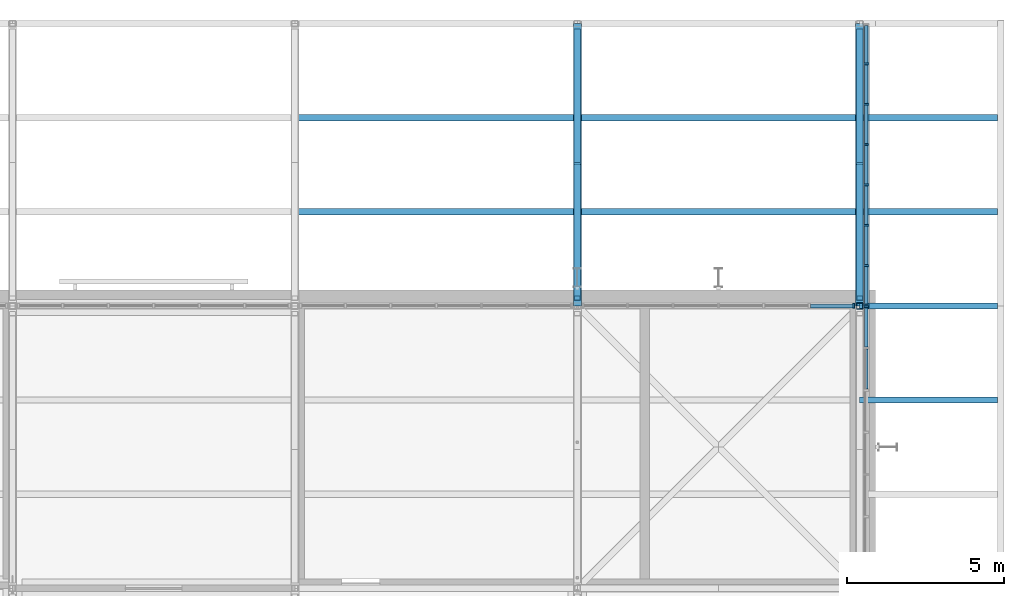
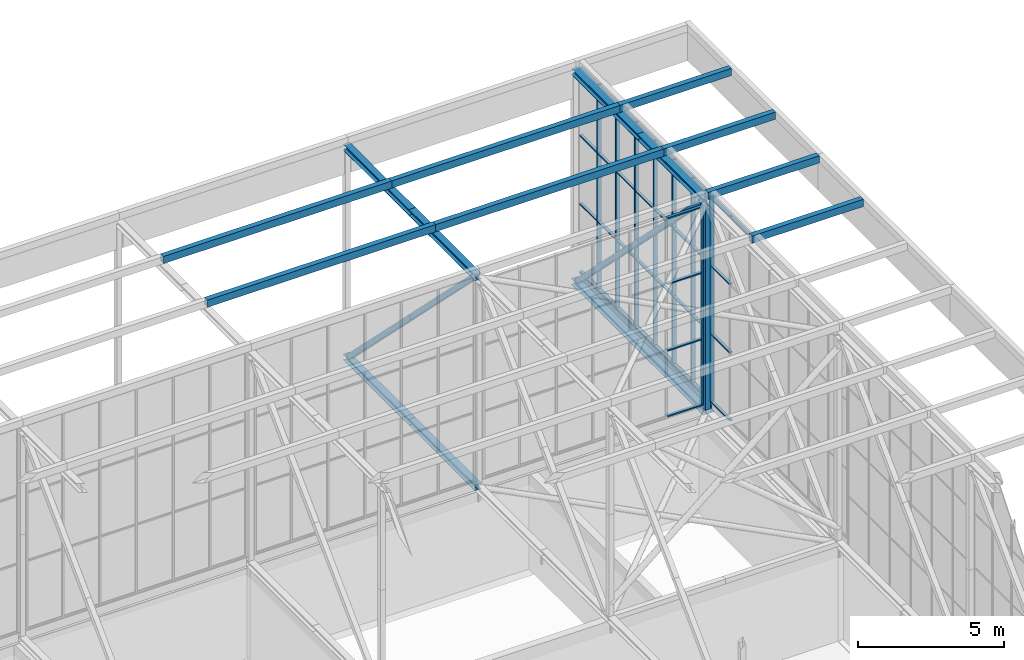
# One storey, part 134 of 646: 68 members, 1 beam, 3 elements without a shape of their own.
"""IFC4 building model written with IfcOpenShell, lengths in metres."""

from ifc_helpers import new_model, si_unit, direction, frame, origin, origin_2d, place, context, subcontext, project, spatial, rectangle, hollow_rectangle, i_section, extrude, material, material_profile, profile_set, type_object, element, aggregate, save


model = new_model("IFC4")

# Units and contexts
model_context = context("Model", 3, precision=1e-05, world=origin(), true_north=direction((0.0, 1.0)))
body_context = subcontext(model_context, "Body", "Model", "MODEL_VIEW")
ifc_project = project(units=[si_unit("LENGTHUNIT", "METRE"), si_unit("AREAUNIT", "SQUARE_METRE"), si_unit("VOLUMEUNIT", "CUBIC_METRE"), si_unit("PLANEANGLEUNIT", "RADIAN"), si_unit("MASSUNIT", "GRAM", prefix="KILO")], contexts=[model_context])

# Site, building, storey
site_placement = place(None, origin())
site = spatial("IfcSite", under=ifc_project, at=site_placement, CompositionType="ELEMENT")
building_placement = place(site_placement, origin())
building = spatial("IfcBuilding", under=site, at=building_placement, Name="Silverbay Arena", CompositionType="ELEMENT")
storey_placement = place(building_placement, frame((0.0, 0.0, 33.5)))
storey = spatial("IfcBuildingStorey", under=building, at=storey_placement, Name="L05", CompositionType="ELEMENT", Elevation=33.5)

# Curtain wall, member
ifc_material_1 = material(Name="Aluminium framed glazing", Category="aluminium")
curtain_wall_type_1 = type_object("IfcCurtainWallType", Name="Curtain wall clerestory 8693 x 8303", PredefinedType="NOTDEFINED", material=ifc_material_1)
curtain_wall_1_placement = place(storey_placement, origin())
curtain_wall_1 = element("IfcCurtainWall", 1, at=curtain_wall_1_placement, inside=storey, type_object=curtain_wall_type_1, Name="ROOF CLERESTORY CURTAIN WALL north bay 17", PredefinedType="NOTDEFINED")
ifc_material_2 = material(Name="Aluminium", Category="aluminium")
ifc_material_profile_1 = material_profile(ifc_material_2, rectangle(XDim=0.159912109375, YDim=0.06005859375, at=origin_2d()), Name="Mullion 60 x 160")
ifc_profile_set_1 = profile_set([ifc_material_profile_1], Name="Aluminium")
member_type_1 = type_object("IfcMemberType", Name="Mullion 60 x 160", PredefinedType="MULLION", material=ifc_profile_set_1)
member_1_placement = place(storey_placement, frame((206.81640625, 144.0, 4.4599609375), z_axis=(0.0, 0.0, 1.0), x_axis=(0.0, 1.0, 0.0)))
member_1 = element("IfcMember", 2, at=member_1_placement, type_object=member_type_1, Name="CW54 mullion 7", PredefinedType="MULLION", context=body_context, shape_type="SweptSolid", body=[
    extrude(rectangle(XDim=0.159912109375, YDim=0.06005859375, at=origin_2d()), origin(), (0.0, 0.0, 1.0), 8.303466796875),
])

ifc_material_3 = material(Name="Aluminium framed glazing", Category="aluminium")
curtain_wall_type_2 = type_object("IfcCurtainWallType", Name="Curtain wall clerestory 9400 x 8547", PredefinedType="NOTDEFINED", material=ifc_material_3)
curtain_wall_2_placement = place(storey_placement, origin())
curtain_wall_2 = element("IfcCurtainWall", 3, at=curtain_wall_2_placement, inside=storey, type_object=curtain_wall_type_2, Name="ROOF GABLE CLERESTORY CURTAIN WALL east bay 15", PredefinedType="NOTDEFINED")
member_2_placement = place(storey_placement, frame((207.2099609375, 143.969970703125, 4.453369140625), z_axis=(0.0, 0.0, 1.0), x_axis=(-1.0, 0.0, 0.0)))
member_2 = element("IfcMember", 4, at=member_2_placement, type_object=member_type_1, Name="CW58 mullion 8", PredefinedType="MULLION", context=body_context, shape_type="SweptSolid", body=[
    extrude(rectangle(XDim=0.159912109375, YDim=0.06005859375, at=origin_2d()), origin(), (0.0, 0.0, 1.0), 8.546630859375),
])

# Curtain wall, members
ifc_material_4 = material(Name="Aluminium framed glazing", Category="aluminium")
curtain_wall_type_3 = type_object("IfcCurtainWallType", Name="Curtain wall clerestory 9000 x 8547", PredefinedType="NOTDEFINED", material=ifc_material_4)
curtain_wall_3_placement = place(storey_placement, origin())
curtain_wall_3 = element("IfcCurtainWall", 5, at=curtain_wall_3_placement, inside=storey, type_object=curtain_wall_type_3, Name="ROOF GABLE CLERESTORY CURTAIN WALL east bay 16", PredefinedType="NOTDEFINED")
member_3_placement = place(storey_placement, frame((207.2099609375, 144.030029296875, 4.453369140625), z_axis=(0.0, 0.0, 1.0), x_axis=(-1.0, 0.0, 0.0)))
member_3 = element("IfcMember", 6, at=member_3_placement, type_object=member_type_1, Name="CW57 mullion 1", PredefinedType="MULLION", context=body_context, shape_type="SweptSolid", body=[
    extrude(rectangle(XDim=0.159912109375, YDim=0.06005859375, at=origin_2d()), origin(), (0.0, 0.0, 1.0), 8.546630859375),
])
member_4_placement = place(storey_placement, frame((207.2099609375, 145.28564453125, 4.453369140625), z_axis=(0.0, 0.0, 1.0), x_axis=(-1.0, 0.0, 0.0)))
member_4 = element("IfcMember", 7, at=member_4_placement, type_object=member_type_1, Name="CW57 mullion 2", PredefinedType="MULLION", context=body_context, shape_type="SweptSolid", body=[
    extrude(rectangle(XDim=0.159912109375, YDim=0.06005859375, at=origin_2d()), origin(), (0.0, 0.0, 1.0), 8.546630859375),
])
member_5_placement = place(storey_placement, frame((207.2099609375, 146.571533203125, 4.453369140625), z_axis=(0.0, 0.0, 1.0), x_axis=(-1.0, 0.0, 0.0)))
member_5 = element("IfcMember", 8, at=member_5_placement, type_object=member_type_1, Name="CW57 mullion 3", PredefinedType="MULLION", context=body_context, shape_type="SweptSolid", body=[
    extrude(rectangle(XDim=0.159912109375, YDim=0.06005859375, at=origin_2d()), origin(), (0.0, 0.0, 1.0), 8.546630859375),
])
member_6_placement = place(storey_placement, frame((207.2099609375, 147.857177734375, 4.453369140625), z_axis=(0.0, 0.0, 1.0), x_axis=(-1.0, 0.0, 0.0)))
member_6 = element("IfcMember", 9, at=member_6_placement, type_object=member_type_1, Name="CW57 mullion 4", PredefinedType="MULLION", context=body_context, shape_type="SweptSolid", body=[
    extrude(rectangle(XDim=0.159912109375, YDim=0.06005859375, at=origin_2d()), origin(), (0.0, 0.0, 1.0), 8.546630859375),
])
member_7_placement = place(storey_placement, frame((207.2099609375, 149.142822265625, 4.453369140625), z_axis=(0.0, 0.0, 1.0), x_axis=(-1.0, 0.0, 0.0)))
member_7 = element("IfcMember", 10, at=member_7_placement, type_object=member_type_1, Name="CW57 mullion 5", PredefinedType="MULLION", context=body_context, shape_type="SweptSolid", body=[
    extrude(rectangle(XDim=0.159912109375, YDim=0.06005859375, at=origin_2d()), origin(), (0.0, 0.0, 1.0), 8.546630859375),
])
member_8_placement = place(storey_placement, frame((207.2099609375, 150.428466796875, 4.453369140625), z_axis=(0.0, 0.0, 1.0), x_axis=(-1.0, 0.0, 0.0)))
member_8 = element("IfcMember", 11, at=member_8_placement, type_object=member_type_1, Name="CW57 mullion 6", PredefinedType="MULLION", context=body_context, shape_type="SweptSolid", body=[
    extrude(rectangle(XDim=0.159912109375, YDim=0.06005859375, at=origin_2d()), origin(), (0.0, 0.0, 1.0), 8.546630859375),
])
member_9_placement = place(storey_placement, frame((207.2099609375, 151.71435546875, 4.453369140625), z_axis=(0.0, 0.0, 1.0), x_axis=(-1.0, 0.0, 0.0)))
member_9 = element("IfcMember", 12, at=member_9_placement, type_object=member_type_1, Name="CW57 mullion 7", PredefinedType="MULLION", context=body_context, shape_type="SweptSolid", body=[
    extrude(rectangle(XDim=0.159912109375, YDim=0.06005859375, at=origin_2d()), origin(), (0.0, 0.0, 1.0), 8.546630859375),
])

# Members
ifc_material_5 = material(Name="Steel S355", Category="steel")
ifc_material_profile_2 = material_profile(ifc_material_5, hollow_rectangle(XDim=0.199951171875, YDim=0.300048828125, WallThickness=0.008056640625, at=origin_2d()), Name="RHS 300x200x8")
ifc_profile_set_2 = profile_set([ifc_material_profile_2], Name="Steel S355")
member_type_2 = type_object("IfcMemberType", Name="Purlin RHS 300x200x8", PredefinedType="PURLIN", material=ifc_profile_set_2)
for number, where, z_axis, x_axis, name in (
    (13, (189.0, 147.0, 13.14990234375), (1.0, 0.0, 0.0), (0.0, 1.0, 0.0), "ROOF PURLIN 22-23 line 47"),
    (14, (189.0, 150.0, 13.14990234375), (1.0, 0.0, 0.0), (0.0, 1.0, 0.0), "ROOF PURLIN 22-23 line 48"),
    (15, (198.0, 147.0, 13.14990234375), (1.0, 0.0, 0.0), (0.0, 1.0, 0.0), "ROOF PURLIN 23-24 line 47"),
    (16, (198.0, 150.0, 13.14990234375), (1.0, 0.0, 0.0), (0.0, 1.0, 0.0), "ROOF PURLIN 23-24 line 48"),
):
    element("IfcMember", number, at=place(storey_placement, frame(where, z_axis=z_axis, x_axis=x_axis)), inside=storey, type_object=member_type_2, Name=name, PredefinedType="PURLIN", context=body_context, shape_type="SweptSolid", body=[
        extrude(hollow_rectangle(XDim=0.199951171875, YDim=0.300048828125, WallThickness=0.008056640625, at=origin_2d()), origin(), (0.0, 0.0, 1.0), 9.0),
    ])
for number, where, z_axis, x_axis, name in (
    (17, (211.39990234375, 141.0, 13.14990234375), (-1.0, 0.0, 0.0), (0.0, -1.0, 0.0), "ROOF PURLIN east eave line 45"),
    (18, (211.39990234375, 144.0, 13.14990234375), (-1.0, 0.0, 0.0), (0.0, -1.0, 0.0), "ROOF PURLIN east eave line 46"),
    (19, (211.39990234375, 147.0, 13.14990234375), (-1.0, 0.0, 0.0), (0.0, -1.0, 0.0), "ROOF PURLIN east eave line 47"),
    (20, (211.39990234375, 150.0, 13.14990234375), (-1.0, 0.0, 0.0), (0.0, -1.0, 0.0), "ROOF PURLIN east eave line 48"),
):
    element("IfcMember", number, at=place(storey_placement, frame(where, z_axis=z_axis, x_axis=x_axis)), inside=storey, type_object=member_type_2, Name=name, PredefinedType="PURLIN", context=body_context, shape_type="SweptSolid", body=[
        extrude(hollow_rectangle(XDim=0.199951171875, YDim=0.300048828125, WallThickness=0.008056640625, at=origin_2d()), origin(), (0.0, 0.0, 1.0), 4.39990234375),
    ])

# Beam
ifc_material_6 = material(Name="Steel S355", Category="steel")
ifc_material_profile_3 = material_profile(ifc_material_6, i_section(OverallWidth=0.18994140625, OverallDepth=0.453369140625, WebThickness=0.008544921875, FlangeThickness=0.0126953125, at=origin_2d()), Name="UB 457x191x67")
ifc_profile_set_3 = profile_set([ifc_material_profile_3], Name="Steel S355")
beam_type = type_object("IfcBeamType", Name="Ring beam UB 457x191x67", PredefinedType="BEAM", material=ifc_profile_set_3)
beam_placement = place(storey_placement, frame((207.224853515625, 144.0, 4.226806640625), z_axis=(0.0, 1.0, 0.0), x_axis=(-1.0, 0.0, 0.0)))
element("IfcBeam", 21, at=beam_placement, inside=storey, type_object=beam_type, Name="RING BEAM east gable panel 16", PredefinedType="BEAM", context=body_context, shape_type="SweptSolid", body=[
    extrude(i_section(OverallWidth=0.18994140625, OverallDepth=0.453369140625, WebThickness=0.008544921875, FlangeThickness=0.0126953125, at=origin_2d()), origin(), (0.0, 0.0, 1.0), 8.905029296875),
])

# Members
ifc_material_7 = material(Name="Steel S355", Category="steel")
ifc_material_profile_4 = material_profile(ifc_material_7, i_section(OverallWidth=0.254638671875, OverallDepth=0.254150390625, WebThickness=0.008544921875, FlangeThickness=0.01416015625, at=origin_2d()), Name="UC 254x254x73")
ifc_profile_set_4 = profile_set([ifc_material_profile_4], Name="Steel S355")
member_type_3 = type_object("IfcMemberType", Name="Short-span bottom chord UC 254x254x73", PredefinedType="CHORD", material=ifc_profile_set_4)
for number, where, z_axis, x_axis, name in (
    (22, (198.0, 144.0, 4.126953125), (0.0, 1.0, 0.0), (-1.0, 0.0, 0.0), "ROOF TRUSS 23 bottom chord 16a"),
    (23, (198.0, 148.5, 4.126953125), (0.0, 1.0, 0.0), (-1.0, 0.0, 0.0), "ROOF TRUSS 23 bottom chord 16b"),
    (24, (207.0, 144.0, 4.126953125), (0.0, 1.0, 0.0), (-1.0, 0.0, 0.0), "ROOF TRUSS 24 bottom chord 16a"),
    (25, (207.0, 148.5, 4.126953125), (0.0, 1.0, 0.0), (-1.0, 0.0, 0.0), "ROOF TRUSS 24 bottom chord 16b"),
):
    element("IfcMember", number, at=place(storey_placement, frame(where, z_axis=z_axis, x_axis=x_axis)), inside=storey, type_object=member_type_3, Name=name, PredefinedType="CHORD", context=body_context, shape_type="SweptSolid", body=[
        extrude(i_section(OverallWidth=0.254638671875, OverallDepth=0.254150390625, WebThickness=0.008544921875, FlangeThickness=0.01416015625, at=origin_2d()), origin(), (0.0, 0.0, 1.0), 4.5),
    ])
ifc_material_8 = material(Name="Steel S355", Category="steel")
ifc_material_profile_5 = material_profile(ifc_material_8, i_section(OverallWidth=0.254638671875, OverallDepth=0.254150390625, WebThickness=0.008544921875, FlangeThickness=0.01416015625, at=origin_2d()), Name="UC 254x254x73")
ifc_profile_set_5 = profile_set([ifc_material_profile_5], Name="Steel S355")
member_type_4 = type_object("IfcMemberType", Name="Short-span top chord UC 254x254x73", PredefinedType="CHORD", material=ifc_profile_set_5)
for number, where, z_axis, x_axis, name in (
    (26, (198.0, 144.0, 12.873046875), (0.0, 1.0, 0.0), (-1.0, 0.0, 0.0), "ROOF TRUSS 23 top chord 16a"),
    (27, (198.0, 148.5, 12.873046875), (0.0, 1.0, 0.0), (-1.0, 0.0, 0.0), "ROOF TRUSS 23 top chord 16b"),
    (28, (207.0, 144.0, 12.873046875), (0.0, 1.0, 0.0), (-1.0, 0.0, 0.0), "ROOF TRUSS 24 top chord 16a"),
    (29, (207.0, 148.5, 12.873046875), (0.0, 1.0, 0.0), (-1.0, 0.0, 0.0), "ROOF TRUSS 24 top chord 16b"),
):
    element("IfcMember", number, at=place(storey_placement, frame(where, z_axis=z_axis, x_axis=x_axis)), inside=storey, type_object=member_type_4, Name=name, PredefinedType="CHORD", context=body_context, shape_type="SweptSolid", body=[
        extrude(i_section(OverallWidth=0.254638671875, OverallDepth=0.254150390625, WebThickness=0.008544921875, FlangeThickness=0.01416015625, at=origin_2d()), origin(), (0.0, 0.0, 1.0), 4.5),
    ])
ifc_material_9 = material(Name="Steel S355", Category="steel")
ifc_material_profile_6 = material_profile(ifc_material_9, hollow_rectangle(XDim=0.199951171875, YDim=0.199951171875, WallThickness=0.008056640625, at=origin_2d()), Name="SHS 200x200x8")
ifc_profile_set_6 = profile_set([ifc_material_profile_6], Name="Steel S355")
member_type_5 = type_object("IfcMemberType", Name="Short-span truss diagonal SHS 200x200x8", PredefinedType="BRACE", material=ifc_profile_set_6)
for number, where, z_axis, x_axis, name in (
    (30, (198.0, 144.24560546875, 12.745849609375), (0.0, 0.70781724692, -0.706395600894), (-1.0, 0.0, 0.0), "ROOF TRUSS 23 diagonal 16a"),
    (31, (198.0, 148.5, 8.5), (0.0, 0.70781724692, -0.706395600894), (-1.0, 0.0, 0.0), "ROOF TRUSS 23 diagonal 16b"),
    (32, (207.0, 144.24560546875, 12.745849609375), (0.0, 0.70781724692, -0.706395600894), (-1.0, 0.0, 0.0), "ROOF TRUSS 24 diagonal 16a"),
    (33, (207.0, 148.5, 8.5), (0.0, 0.70781724692, -0.706395600894), (-1.0, 0.0, 0.0), "ROOF TRUSS 24 diagonal 16b"),
):
    element("IfcMember", number, at=place(storey_placement, frame(where, z_axis=z_axis, x_axis=x_axis)), inside=storey, type_object=member_type_5, Name=name, PredefinedType="BRACE", context=body_context, shape_type="SweptSolid", body=[
        extrude(hollow_rectangle(XDim=0.199951171875, YDim=0.199951171875, WallThickness=0.008056640625, at=origin_2d()), origin(), (0.0, 0.0, 1.0), 6.010498046875),
    ])
ifc_material_10 = material(Name="Steel S355", Category="steel")
ifc_material_profile_7 = material_profile(ifc_material_10, hollow_rectangle(XDim=0.199951171875, YDim=0.199951171875, WallThickness=0.008056640625, at=origin_2d()), Name="SHS 200x200x8")
ifc_profile_set_7 = profile_set([ifc_material_profile_7], Name="Steel S355")
member_type_6 = type_object("IfcMemberType", Name="Short-span truss vertical SHS 200x200x8", PredefinedType="STRUT", material=ifc_profile_set_7)
for number, where, z_axis, x_axis, name in (
    (34, (207.0, 144.0, 4.254150390625), (0.0, 0.0, 1.0), (1.0, 0.0, 0.0), "ROOF TRUSS 24 vertical 16a"),
    (35, (207.0, 144.0, 8.5), (0.0, 0.0, 1.0), (1.0, 0.0, 0.0), "ROOF TRUSS 24 vertical 16b"),
):
    element("IfcMember", number, at=place(storey_placement, frame(where, z_axis=z_axis, x_axis=x_axis)), inside=storey, type_object=member_type_6, Name=name, PredefinedType="STRUT", context=body_context, shape_type="SweptSolid", body=[
        extrude(hollow_rectangle(XDim=0.199951171875, YDim=0.199951171875, WallThickness=0.008056640625, at=origin_2d()), origin(), (0.0, 0.0, 1.0), 4.245849609375),
    ])

# Member
ifc_material_11 = material(Name="Aluminium", Category="aluminium")
ifc_material_profile_8 = material_profile(ifc_material_11, rectangle(XDim=0.1201171875, YDim=0.050048828125, at=origin_2d()), Name="Transom 50 x 120")
ifc_profile_set_8 = profile_set([ifc_material_profile_8], Name="Aluminium")
member_type_7 = type_object("IfcMemberType", Name="Transom 50 x 120", PredefinedType="USERDEFINED", material=ifc_profile_set_8)
member_10_placement = place(storey_placement, frame((205.427490234375, 144.0, 4.485107421875), z_axis=(1.0, 0.0, 0.0), x_axis=(0.0, 1.0, 0.0)))
member_10 = element("IfcMember", 36, at=member_10_placement, type_object=member_type_7, Name="CW54 transom 6.1", ObjectType="TRANSOM", PredefinedType="USERDEFINED", context=body_context, shape_type="SweptSolid", body=[
    extrude(rectangle(XDim=0.1201171875, YDim=0.050048828125, at=origin_2d()), origin(), (0.0, 0.0, 1.0), 1.35888671875),
])

member_11_placement = place(storey_placement, frame((205.427490234375, 144.0, 7.227783203125), z_axis=(1.0, 0.0, 0.0), x_axis=(0.0, 1.0, 0.0)))
member_11 = element("IfcMember", 37, at=member_11_placement, type_object=member_type_7, Name="CW54 transom 6.2", ObjectType="TRANSOM", PredefinedType="USERDEFINED", context=body_context, shape_type="SweptSolid", body=[
    extrude(rectangle(XDim=0.1201171875, YDim=0.050048828125, at=origin_2d()), origin(), (0.0, 0.0, 1.0), 1.35888671875),
])

member_12_placement = place(storey_placement, frame((205.427490234375, 144.0, 9.99560546875), z_axis=(1.0, 0.0, 0.0), x_axis=(0.0, 1.0, 0.0)))
member_12 = element("IfcMember", 38, at=member_12_placement, type_object=member_type_7, Name="CW54 transom 6.3", ObjectType="TRANSOM", PredefinedType="USERDEFINED", context=body_context, shape_type="SweptSolid", body=[
    extrude(rectangle(XDim=0.1201171875, YDim=0.050048828125, at=origin_2d()), origin(), (0.0, 0.0, 1.0), 1.35888671875),
])

member_13_placement = place(storey_placement, frame((205.427490234375, 144.0, 12.73828125), z_axis=(1.0, 0.0, 0.0), x_axis=(0.0, 1.0, 0.0)))
member_13 = element("IfcMember", 39, at=member_13_placement, type_object=member_type_7, Name="CW54 transom 6.4", ObjectType="TRANSOM", PredefinedType="USERDEFINED", context=body_context, shape_type="SweptSolid", body=[
    extrude(rectangle(XDim=0.1201171875, YDim=0.050048828125, at=origin_2d()), origin(), (0.0, 0.0, 1.0), 1.35888671875),
])

aggregate(curtain_wall_1, [member_1, member_10, member_11, member_12, member_13])

member_14_placement = place(storey_placement, frame((207.2099609375, 141.34423828125, 12.97509765625), z_axis=(0.0, 1.0, 0.0), x_axis=(-1.0, 0.0, 0.0)))
member_14 = element("IfcMember", 40, at=member_14_placement, type_object=member_type_7, Name="CW58 transom 6.4", ObjectType="TRANSOM", PredefinedType="USERDEFINED", context=body_context, shape_type="SweptSolid", body=[
    extrude(rectangle(XDim=0.1201171875, YDim=0.050048828125, at=origin_2d()), origin(), (0.0, 0.0, 1.0), 1.282958984375),
])

member_15_placement = place(storey_placement, frame((207.2099609375, 142.687255859375, 4.478515625), z_axis=(0.0, 1.0, 0.0), x_axis=(-1.0, 0.0, 0.0)))
member_15 = element("IfcMember", 41, at=member_15_placement, type_object=member_type_7, Name="CW58 transom 7.1", ObjectType="TRANSOM", PredefinedType="USERDEFINED", context=body_context, shape_type="SweptSolid", body=[
    extrude(rectangle(XDim=0.1201171875, YDim=0.050048828125, at=origin_2d()), origin(), (0.0, 0.0, 1.0), 1.252685546875),
])

member_16_placement = place(storey_placement, frame((207.2099609375, 142.687255859375, 7.30224609375), z_axis=(0.0, 1.0, 0.0), x_axis=(-1.0, 0.0, 0.0)))
member_16 = element("IfcMember", 42, at=member_16_placement, type_object=member_type_7, Name="CW58 transom 7.2", ObjectType="TRANSOM", PredefinedType="USERDEFINED", context=body_context, shape_type="SweptSolid", body=[
    extrude(rectangle(XDim=0.1201171875, YDim=0.050048828125, at=origin_2d()), origin(), (0.0, 0.0, 1.0), 1.252685546875),
])

member_17_placement = place(storey_placement, frame((207.2099609375, 142.687255859375, 10.151123046875), z_axis=(0.0, 1.0, 0.0), x_axis=(-1.0, 0.0, 0.0)))
member_17 = element("IfcMember", 43, at=member_17_placement, type_object=member_type_7, Name="CW58 transom 7.3", ObjectType="TRANSOM", PredefinedType="USERDEFINED", context=body_context, shape_type="SweptSolid", body=[
    extrude(rectangle(XDim=0.1201171875, YDim=0.050048828125, at=origin_2d()), origin(), (0.0, 0.0, 1.0), 1.252685546875),
])

member_18_placement = place(storey_placement, frame((207.2099609375, 142.687255859375, 12.97509765625), z_axis=(0.0, 1.0, 0.0), x_axis=(-1.0, 0.0, 0.0)))
member_18 = element("IfcMember", 44, at=member_18_placement, type_object=member_type_7, Name="CW58 transom 7.4", ObjectType="TRANSOM", PredefinedType="USERDEFINED", context=body_context, shape_type="SweptSolid", body=[
    extrude(rectangle(XDim=0.1201171875, YDim=0.050048828125, at=origin_2d()), origin(), (0.0, 0.0, 1.0), 1.252685546875),
])

aggregate(curtain_wall_2, [member_2, member_14, member_15, member_16, member_17, member_18])

member_19_placement = place(storey_placement, frame((207.2099609375, 144.06005859375, 4.478515625), z_axis=(0.0, 1.0, 0.0), x_axis=(-1.0, 0.0, 0.0)))
member_19 = element("IfcMember", 45, at=member_19_placement, type_object=member_type_7, Name="CW57 transom 1.1", ObjectType="TRANSOM", PredefinedType="USERDEFINED", context=body_context, shape_type="SweptSolid", body=[
    extrude(rectangle(XDim=0.1201171875, YDim=0.050048828125, at=origin_2d()), origin(), (0.0, 0.0, 1.0), 1.195556640625),
])

member_20_placement = place(storey_placement, frame((207.2099609375, 144.06005859375, 7.30224609375), z_axis=(0.0, 1.0, 0.0), x_axis=(-1.0, 0.0, 0.0)))
member_20 = element("IfcMember", 46, at=member_20_placement, type_object=member_type_7, Name="CW57 transom 1.2", ObjectType="TRANSOM", PredefinedType="USERDEFINED", context=body_context, shape_type="SweptSolid", body=[
    extrude(rectangle(XDim=0.1201171875, YDim=0.050048828125, at=origin_2d()), origin(), (0.0, 0.0, 1.0), 1.195556640625),
])

member_21_placement = place(storey_placement, frame((207.2099609375, 144.06005859375, 10.151123046875), z_axis=(0.0, 1.0, 0.0), x_axis=(-1.0, 0.0, 0.0)))
member_21 = element("IfcMember", 47, at=member_21_placement, type_object=member_type_7, Name="CW57 transom 1.3", ObjectType="TRANSOM", PredefinedType="USERDEFINED", context=body_context, shape_type="SweptSolid", body=[
    extrude(rectangle(XDim=0.1201171875, YDim=0.050048828125, at=origin_2d()), origin(), (0.0, 0.0, 1.0), 1.195556640625),
])

member_22_placement = place(storey_placement, frame((207.2099609375, 144.06005859375, 12.97509765625), z_axis=(0.0, 1.0, 0.0), x_axis=(-1.0, 0.0, 0.0)))
member_22 = element("IfcMember", 48, at=member_22_placement, type_object=member_type_7, Name="CW57 transom 1.4", ObjectType="TRANSOM", PredefinedType="USERDEFINED", context=body_context, shape_type="SweptSolid", body=[
    extrude(rectangle(XDim=0.1201171875, YDim=0.050048828125, at=origin_2d()), origin(), (0.0, 0.0, 1.0), 1.195556640625),
])

member_23_placement = place(storey_placement, frame((207.2099609375, 145.315673828125, 4.478515625), z_axis=(0.0, 1.0, 0.0), x_axis=(-1.0, 0.0, 0.0)))
member_23 = element("IfcMember", 49, at=member_23_placement, type_object=member_type_7, Name="CW57 transom 2.1", ObjectType="TRANSOM", PredefinedType="USERDEFINED", context=body_context, shape_type="SweptSolid", body=[
    extrude(rectangle(XDim=0.1201171875, YDim=0.050048828125, at=origin_2d()), origin(), (0.0, 0.0, 1.0), 1.225830078125),
])

member_24_placement = place(storey_placement, frame((207.2099609375, 145.315673828125, 7.30224609375), z_axis=(0.0, 1.0, 0.0), x_axis=(-1.0, 0.0, 0.0)))
member_24 = element("IfcMember", 50, at=member_24_placement, type_object=member_type_7, Name="CW57 transom 2.2", ObjectType="TRANSOM", PredefinedType="USERDEFINED", context=body_context, shape_type="SweptSolid", body=[
    extrude(rectangle(XDim=0.1201171875, YDim=0.050048828125, at=origin_2d()), origin(), (0.0, 0.0, 1.0), 1.225830078125),
])

member_25_placement = place(storey_placement, frame((207.2099609375, 145.315673828125, 10.151123046875), z_axis=(0.0, 1.0, 0.0), x_axis=(-1.0, 0.0, 0.0)))
member_25 = element("IfcMember", 51, at=member_25_placement, type_object=member_type_7, Name="CW57 transom 2.3", ObjectType="TRANSOM", PredefinedType="USERDEFINED", context=body_context, shape_type="SweptSolid", body=[
    extrude(rectangle(XDim=0.1201171875, YDim=0.050048828125, at=origin_2d()), origin(), (0.0, 0.0, 1.0), 1.225830078125),
])

member_26_placement = place(storey_placement, frame((207.2099609375, 145.315673828125, 12.97509765625), z_axis=(0.0, 1.0, 0.0), x_axis=(-1.0, 0.0, 0.0)))
member_26 = element("IfcMember", 52, at=member_26_placement, type_object=member_type_7, Name="CW57 transom 2.4", ObjectType="TRANSOM", PredefinedType="USERDEFINED", context=body_context, shape_type="SweptSolid", body=[
    extrude(rectangle(XDim=0.1201171875, YDim=0.050048828125, at=origin_2d()), origin(), (0.0, 0.0, 1.0), 1.225830078125),
])

member_27_placement = place(storey_placement, frame((207.2099609375, 146.601318359375, 4.478515625), z_axis=(0.0, 1.0, 0.0), x_axis=(-1.0, 0.0, 0.0)))
member_27 = element("IfcMember", 53, at=member_27_placement, type_object=member_type_7, Name="CW57 transom 3.1", ObjectType="TRANSOM", PredefinedType="USERDEFINED", context=body_context, shape_type="SweptSolid", body=[
    extrude(rectangle(XDim=0.1201171875, YDim=0.050048828125, at=origin_2d()), origin(), (0.0, 0.0, 1.0), 1.225830078125),
])

member_28_placement = place(storey_placement, frame((207.2099609375, 146.601318359375, 7.30224609375), z_axis=(0.0, 1.0, 0.0), x_axis=(-1.0, 0.0, 0.0)))
member_28 = element("IfcMember", 54, at=member_28_placement, type_object=member_type_7, Name="CW57 transom 3.2", ObjectType="TRANSOM", PredefinedType="USERDEFINED", context=body_context, shape_type="SweptSolid", body=[
    extrude(rectangle(XDim=0.1201171875, YDim=0.050048828125, at=origin_2d()), origin(), (0.0, 0.0, 1.0), 1.225830078125),
])

member_29_placement = place(storey_placement, frame((207.2099609375, 146.601318359375, 10.151123046875), z_axis=(0.0, 1.0, 0.0), x_axis=(-1.0, 0.0, 0.0)))
member_29 = element("IfcMember", 55, at=member_29_placement, type_object=member_type_7, Name="CW57 transom 3.3", ObjectType="TRANSOM", PredefinedType="USERDEFINED", context=body_context, shape_type="SweptSolid", body=[
    extrude(rectangle(XDim=0.1201171875, YDim=0.050048828125, at=origin_2d()), origin(), (0.0, 0.0, 1.0), 1.225830078125),
])

member_30_placement = place(storey_placement, frame((207.2099609375, 146.601318359375, 12.97509765625), z_axis=(0.0, 1.0, 0.0), x_axis=(-1.0, 0.0, 0.0)))
member_30 = element("IfcMember", 56, at=member_30_placement, type_object=member_type_7, Name="CW57 transom 3.4", ObjectType="TRANSOM", PredefinedType="USERDEFINED", context=body_context, shape_type="SweptSolid", body=[
    extrude(rectangle(XDim=0.1201171875, YDim=0.050048828125, at=origin_2d()), origin(), (0.0, 0.0, 1.0), 1.225830078125),
])

member_31_placement = place(storey_placement, frame((207.2099609375, 147.88720703125, 4.478515625), z_axis=(0.0, 1.0, 0.0), x_axis=(-1.0, 0.0, 0.0)))
member_31 = element("IfcMember", 57, at=member_31_placement, type_object=member_type_7, Name="CW57 transom 4.1", ObjectType="TRANSOM", PredefinedType="USERDEFINED", context=body_context, shape_type="SweptSolid", body=[
    extrude(rectangle(XDim=0.1201171875, YDim=0.050048828125, at=origin_2d()), origin(), (0.0, 0.0, 1.0), 1.2255859375),
])

member_32_placement = place(storey_placement, frame((207.2099609375, 147.88720703125, 7.30224609375), z_axis=(0.0, 1.0, 0.0), x_axis=(-1.0, 0.0, 0.0)))
member_32 = element("IfcMember", 58, at=member_32_placement, type_object=member_type_7, Name="CW57 transom 4.2", ObjectType="TRANSOM", PredefinedType="USERDEFINED", context=body_context, shape_type="SweptSolid", body=[
    extrude(rectangle(XDim=0.1201171875, YDim=0.050048828125, at=origin_2d()), origin(), (0.0, 0.0, 1.0), 1.2255859375),
])

member_33_placement = place(storey_placement, frame((207.2099609375, 147.88720703125, 10.151123046875), z_axis=(0.0, 1.0, 0.0), x_axis=(-1.0, 0.0, 0.0)))
member_33 = element("IfcMember", 59, at=member_33_placement, type_object=member_type_7, Name="CW57 transom 4.3", ObjectType="TRANSOM", PredefinedType="USERDEFINED", context=body_context, shape_type="SweptSolid", body=[
    extrude(rectangle(XDim=0.1201171875, YDim=0.050048828125, at=origin_2d()), origin(), (0.0, 0.0, 1.0), 1.2255859375),
])

member_34_placement = place(storey_placement, frame((207.2099609375, 147.88720703125, 12.97509765625), z_axis=(0.0, 1.0, 0.0), x_axis=(-1.0, 0.0, 0.0)))
member_34 = element("IfcMember", 60, at=member_34_placement, type_object=member_type_7, Name="CW57 transom 4.4", ObjectType="TRANSOM", PredefinedType="USERDEFINED", context=body_context, shape_type="SweptSolid", body=[
    extrude(rectangle(XDim=0.1201171875, YDim=0.050048828125, at=origin_2d()), origin(), (0.0, 0.0, 1.0), 1.2255859375),
])

member_35_placement = place(storey_placement, frame((207.2099609375, 149.1728515625, 4.478515625), z_axis=(0.0, 1.0, 0.0), x_axis=(-1.0, 0.0, 0.0)))
member_35 = element("IfcMember", 61, at=member_35_placement, type_object=member_type_7, Name="CW57 transom 5.1", ObjectType="TRANSOM", PredefinedType="USERDEFINED", context=body_context, shape_type="SweptSolid", body=[
    extrude(rectangle(XDim=0.1201171875, YDim=0.050048828125, at=origin_2d()), origin(), (0.0, 0.0, 1.0), 1.225830078125),
])

member_36_placement = place(storey_placement, frame((207.2099609375, 149.1728515625, 7.30224609375), z_axis=(0.0, 1.0, 0.0), x_axis=(-1.0, 0.0, 0.0)))
member_36 = element("IfcMember", 62, at=member_36_placement, type_object=member_type_7, Name="CW57 transom 5.2", ObjectType="TRANSOM", PredefinedType="USERDEFINED", context=body_context, shape_type="SweptSolid", body=[
    extrude(rectangle(XDim=0.1201171875, YDim=0.050048828125, at=origin_2d()), origin(), (0.0, 0.0, 1.0), 1.225830078125),
])

member_37_placement = place(storey_placement, frame((207.2099609375, 149.1728515625, 10.151123046875), z_axis=(0.0, 1.0, 0.0), x_axis=(-1.0, 0.0, 0.0)))
member_37 = element("IfcMember", 63, at=member_37_placement, type_object=member_type_7, Name="CW57 transom 5.3", ObjectType="TRANSOM", PredefinedType="USERDEFINED", context=body_context, shape_type="SweptSolid", body=[
    extrude(rectangle(XDim=0.1201171875, YDim=0.050048828125, at=origin_2d()), origin(), (0.0, 0.0, 1.0), 1.225830078125),
])

member_38_placement = place(storey_placement, frame((207.2099609375, 149.1728515625, 12.97509765625), z_axis=(0.0, 1.0, 0.0), x_axis=(-1.0, 0.0, 0.0)))
member_38 = element("IfcMember", 64, at=member_38_placement, type_object=member_type_7, Name="CW57 transom 5.4", ObjectType="TRANSOM", PredefinedType="USERDEFINED", context=body_context, shape_type="SweptSolid", body=[
    extrude(rectangle(XDim=0.1201171875, YDim=0.050048828125, at=origin_2d()), origin(), (0.0, 0.0, 1.0), 1.225830078125),
])

member_39_placement = place(storey_placement, frame((207.2099609375, 150.45849609375, 4.478515625), z_axis=(0.0, 1.0, 0.0), x_axis=(-1.0, 0.0, 0.0)))
member_39 = element("IfcMember", 65, at=member_39_placement, type_object=member_type_7, Name="CW57 transom 6.1", ObjectType="TRANSOM", PredefinedType="USERDEFINED", context=body_context, shape_type="SweptSolid", body=[
    extrude(rectangle(XDim=0.1201171875, YDim=0.050048828125, at=origin_2d()), origin(), (0.0, 0.0, 1.0), 1.225830078125),
])

member_40_placement = place(storey_placement, frame((207.2099609375, 150.45849609375, 7.30224609375), z_axis=(0.0, 1.0, 0.0), x_axis=(-1.0, 0.0, 0.0)))
member_40 = element("IfcMember", 66, at=member_40_placement, type_object=member_type_7, Name="CW57 transom 6.2", ObjectType="TRANSOM", PredefinedType="USERDEFINED", context=body_context, shape_type="SweptSolid", body=[
    extrude(rectangle(XDim=0.1201171875, YDim=0.050048828125, at=origin_2d()), origin(), (0.0, 0.0, 1.0), 1.225830078125),
])

member_41_placement = place(storey_placement, frame((207.2099609375, 150.45849609375, 10.151123046875), z_axis=(0.0, 1.0, 0.0), x_axis=(-1.0, 0.0, 0.0)))
member_41 = element("IfcMember", 67, at=member_41_placement, type_object=member_type_7, Name="CW57 transom 6.3", ObjectType="TRANSOM", PredefinedType="USERDEFINED", context=body_context, shape_type="SweptSolid", body=[
    extrude(rectangle(XDim=0.1201171875, YDim=0.050048828125, at=origin_2d()), origin(), (0.0, 0.0, 1.0), 1.225830078125),
])

member_42_placement = place(storey_placement, frame((207.2099609375, 150.45849609375, 12.97509765625), z_axis=(0.0, 1.0, 0.0), x_axis=(-1.0, 0.0, 0.0)))
member_42 = element("IfcMember", 68, at=member_42_placement, type_object=member_type_7, Name="CW57 transom 6.4", ObjectType="TRANSOM", PredefinedType="USERDEFINED", context=body_context, shape_type="SweptSolid", body=[
    extrude(rectangle(XDim=0.1201171875, YDim=0.050048828125, at=origin_2d()), origin(), (0.0, 0.0, 1.0), 1.225830078125),
])

member_43_placement = place(storey_placement, frame((207.2099609375, 151.744384765625, 4.478515625), z_axis=(0.0, 1.0, 0.0), x_axis=(-1.0, 0.0, 0.0)))
member_43 = element("IfcMember", 69, at=member_43_placement, type_object=member_type_7, Name="CW57 transom 7.1", ObjectType="TRANSOM", PredefinedType="USERDEFINED", context=body_context, shape_type="SweptSolid", body=[
    extrude(rectangle(XDim=0.1201171875, YDim=0.050048828125, at=origin_2d()), origin(), (0.0, 0.0, 1.0), 1.195556640625),
])

member_44_placement = place(storey_placement, frame((207.2099609375, 151.744384765625, 7.30224609375), z_axis=(0.0, 1.0, 0.0), x_axis=(-1.0, 0.0, 0.0)))
member_44 = element("IfcMember", 70, at=member_44_placement, type_object=member_type_7, Name="CW57 transom 7.2", ObjectType="TRANSOM", PredefinedType="USERDEFINED", context=body_context, shape_type="SweptSolid", body=[
    extrude(rectangle(XDim=0.1201171875, YDim=0.050048828125, at=origin_2d()), origin(), (0.0, 0.0, 1.0), 1.195556640625),
])

member_45_placement = place(storey_placement, frame((207.2099609375, 151.744384765625, 10.151123046875), z_axis=(0.0, 1.0, 0.0), x_axis=(-1.0, 0.0, 0.0)))
member_45 = element("IfcMember", 71, at=member_45_placement, type_object=member_type_7, Name="CW57 transom 7.3", ObjectType="TRANSOM", PredefinedType="USERDEFINED", context=body_context, shape_type="SweptSolid", body=[
    extrude(rectangle(XDim=0.1201171875, YDim=0.050048828125, at=origin_2d()), origin(), (0.0, 0.0, 1.0), 1.195556640625),
])

member_46_placement = place(storey_placement, frame((207.2099609375, 151.744384765625, 12.97509765625), z_axis=(0.0, 1.0, 0.0), x_axis=(-1.0, 0.0, 0.0)))
member_46 = element("IfcMember", 72, at=member_46_placement, type_object=member_type_7, Name="CW57 transom 7.4", ObjectType="TRANSOM", PredefinedType="USERDEFINED", context=body_context, shape_type="SweptSolid", body=[
    extrude(rectangle(XDim=0.1201171875, YDim=0.050048828125, at=origin_2d()), origin(), (0.0, 0.0, 1.0), 1.195556640625),
])

aggregate(curtain_wall_3, [member_3, member_4, member_5, member_6, member_7, member_8, member_9, member_19, member_20, member_21, member_22, member_23, member_24, member_25, member_26, member_27, member_28, member_29, member_30, member_31, member_32, member_33, member_34, member_35, member_36, member_37, member_38, member_39, member_40, member_41, member_42, member_43, member_44, member_45, member_46])

save(model, "model.ifc")
